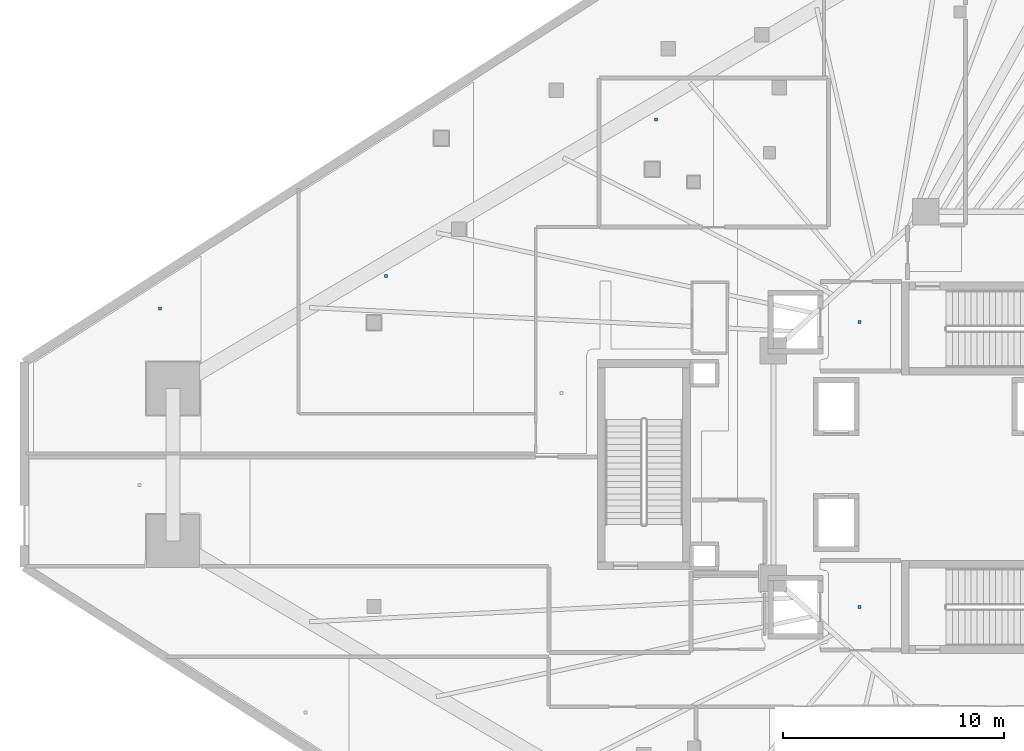
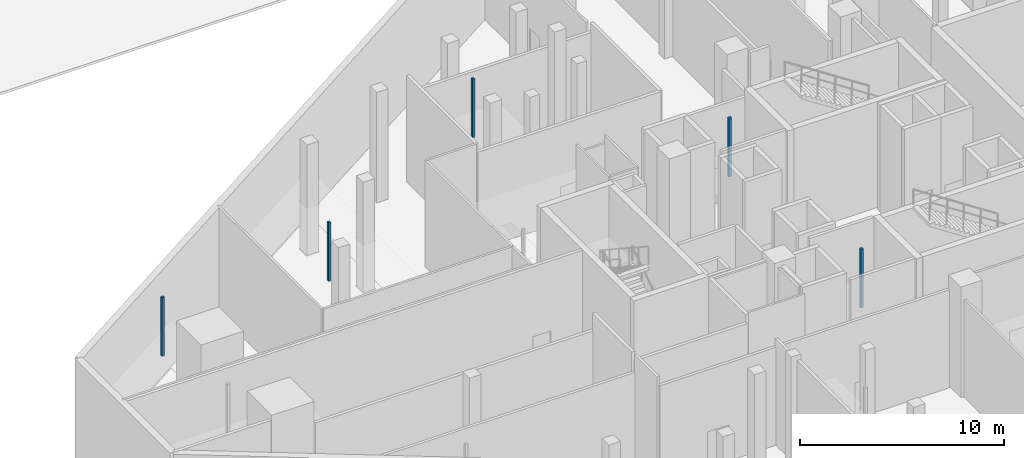
# One storey, part 36 of 45: 5 discrete accessories.
"""IFC4 building model written with IfcOpenShell, lengths in metres."""

from ifc_helpers import new_model, si_unit, direction, frame, origin, origin_2d, place, context, subcontext, project, spatial, rectangle, extrude, material, type_object, element, save


model = new_model("IFC4")

# Units and contexts
model_context = context("Model", 3, precision=1e-05, world=origin(), true_north=direction((0.0, 1.0)))
body_context = subcontext(model_context, "Body", "Model", "MODEL_VIEW")
ifc_project = project(units=[si_unit("LENGTHUNIT", "METRE"), si_unit("AREAUNIT", "SQUARE_METRE"), si_unit("VOLUMEUNIT", "CUBIC_METRE"), si_unit("PLANEANGLEUNIT", "RADIAN"), si_unit("MASSUNIT", "GRAM", prefix="KILO")], contexts=[model_context])

# Site, building, storey
site_placement = place(None, origin())
site = spatial("IfcSite", under=ifc_project, at=site_placement, CompositionType="ELEMENT")
building_placement = place(site_placement, origin())
building = spatial("IfcBuilding", under=site, at=building_placement, Name="Qorvath Tower", CompositionType="ELEMENT")
storey_placement = place(building_placement, origin())
storey = spatial("IfcBuildingStorey", under=building, at=storey_placement, Name="L00", CompositionType="ELEMENT", Elevation=0.0)

# Discrete accessories
ifc_material = material(Name="Galvanised steel bracket", Category="steel")
discrete_accessory_type = type_object("IfcDiscreteAccessoryType", Name="DA-BRACKET", PredefinedType="BRACKET", material=ifc_material)
for number, where, z_axis, x_axis, name in (
    (1, (-26.590087890625, 6.449951171875, 2.85986328125), (0.0, 0.0, 1.0), (1.0, 0.0, 0.0), "Acoustic Ceiling Suspension Hanger T1-L00-001"),
    (2, (-26.590087890625, -6.449951171875, 2.85986328125), (0.0, 0.0, 1.0), (1.0, 0.0, 0.0), "Acoustic Ceiling Suspension Hanger T1-L00-002"),
    (3, (-35.8056640625, 15.62158203125, 2.85986328125), (0.0, 0.0, 1.0), (1.0, 0.0, 0.0), "Acoustic Ceiling Suspension Hanger T1-L00-009"),
    (4, (-48.030029296875, 8.538330078125, 2.85986328125), (0.0, 0.0, 1.0), (1.0, 0.0, 0.0), "Acoustic Ceiling Suspension Hanger T1-L00-014"),
    (5, (-58.275634765625, 7.0732421875, 2.85986328125), (0.0, 0.0, 1.0), (1.0, 0.0, 0.0), "Acoustic Ceiling Suspension Hanger T1-L00-015"),
):
    element("IfcDiscreteAccessory", number, at=place(storey_placement, frame(where, z_axis=z_axis, x_axis=x_axis)), inside=storey, type_object=discrete_accessory_type, Name=name, PredefinedType="NOTDEFINED", context=body_context, shape_type="SweptSolid", body=[
        extrude(rectangle(XDim=0.139892578125, YDim=0.139892578125, at=origin_2d()), origin(), (0.0, 0.0, 1.0), 3.510009765625),
    ])

save(model, "model.ifc")
